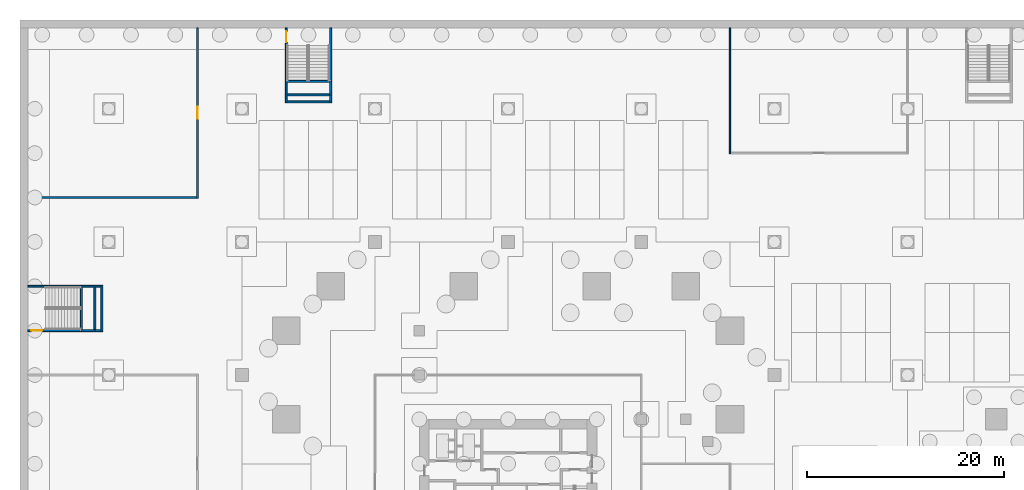
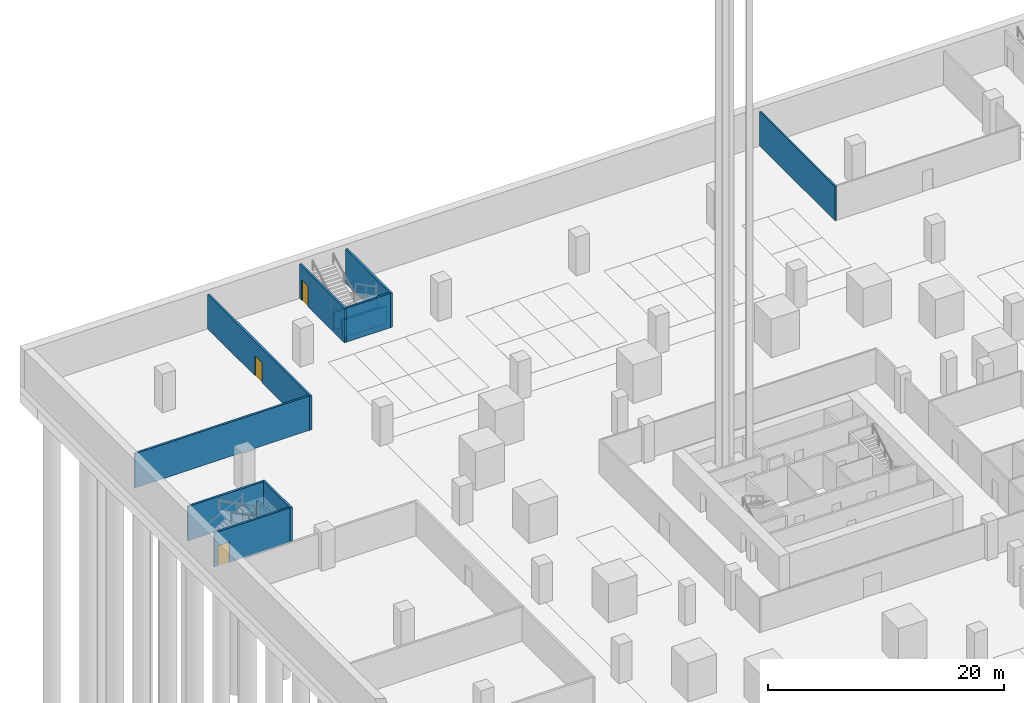
# One storey, part 11 of 40: 13 walls, 3 doors, 3 openings.
"""IFC4 building model written with IfcOpenShell, lengths in metres."""

from ifc_helpers import new_model, si_unit, direction, frame, frame_2d, origin, place, context, subcontext, project, spatial, rectangle, extrude, material, layer, layer_set, type_object, element, fill, save


model = new_model("IFC4")

# Units and contexts
model_context = context("Model", 3, precision=1e-05, world=origin(), true_north=direction((0.0, 1.0)))
body_context = subcontext(model_context, "Body", "Model", "MODEL_VIEW")
ifc_project = project(units=[si_unit("LENGTHUNIT", "METRE"), si_unit("AREAUNIT", "SQUARE_METRE"), si_unit("VOLUMEUNIT", "CUBIC_METRE"), si_unit("PLANEANGLEUNIT", "RADIAN"), si_unit("MASSUNIT", "GRAM", prefix="KILO")], contexts=[model_context])

# Site, building, storey
site_placement = place(None, origin())
site = spatial("IfcSite", under=ifc_project, at=site_placement, CompositionType="ELEMENT")
building_placement = place(site_placement, origin())
building = spatial("IfcBuilding", under=site, at=building_placement, Name="Altepetl Exchange Towers", CompositionType="ELEMENT")
storey_placement = place(building_placement, frame((0.0, 0.0, -8.0)))
storey = spatial("IfcBuildingStorey", under=building, at=storey_placement, Name="B2 Basement parking", CompositionType="ELEMENT", Elevation=-8.0)

# Walls
ifc_material_1 = material(Name="Reinforced concrete C35/45", Category="concrete")
ifc_layer_1 = layer(ifc_material_1, 0.199951171875)
ifc_layer_set_1 = layer_set([ifc_layer_1], Name="Reinforced concrete C35/45")
wall_type_1 = type_object("IfcWallType", Name="Landing support wall 200", PredefinedType="SOLIDWALL", material=ifc_layer_set_1)
for number, where, z_axis, x_axis, name in (
    (1, (6.219970703125, 71.89990234375, 0.0), (0.0, 0.0, 1.0), (0.0, -1.0, 0.0), "wall:P:B2:ES4sup0"),
    (2, (7.60009765625, 71.89990234375, 0.0), (0.0, 0.0, 1.0), (0.0, -1.0, 0.0), "wall:P:B2:ES4sup1"),
    (3, (31.39990234375, 92.780029296875, 0.0), (0.0, 0.0, 1.0), (-1.0, 0.0, 0.0), "wall:P:B2:ES5sup0"),
    (4, (31.39990234375, 91.39990234375, 0.0), (0.0, 0.0, 1.0), (-1.0, 0.0, 0.0), "wall:P:B2:ES5sup1"),
):
    element("IfcWall", number, at=place(storey_placement, frame(where, z_axis=z_axis, x_axis=x_axis)), inside=storey, type_object=wall_type_1, Name=name, PredefinedType="SOLIDWALL", context=body_context, shape_type="SweptSolid", body=[
        extrude(rectangle(XDim=4.2998046875, YDim=0.199951171875, at=frame_2d((2.14990234375, 0.0))), origin(), (0.0, 0.0, 1.0), 1.800048828125),
    ])

# Wall, opening, door
ifc_material_2 = material(Name="Concrete block masonry", Category="masonry")
ifc_layer_2 = layer(ifc_material_2, 0.199951171875)
ifc_layer_set_2 = layer_set([ifc_layer_2], Name="Concrete block masonry")
wall_type_2 = type_object("IfcWallType", Name="Podium fire wall 200", PredefinedType="SOLIDWALL", material=ifc_layer_set_2)
wall_1_placement = place(storey_placement, frame((18.0, 80.89990234375, 0.0), z_axis=(0.0, 0.0, 1.0), x_axis=(0.0, 1.0, 0.0)))
wall_1 = element("IfcWall", 5, at=wall_1_placement, inside=storey, type_object=wall_type_2, Name="wall:P:B2:P009", PredefinedType="SOLIDWALL", context=body_context, shape_type="SweptSolid", body=[
    extrude(rectangle(XDim=17.300048828125, YDim=0.199951171875, at=frame_2d((8.64990234375, 0.0))), origin(), (0.0, 0.0, 1.0), 3.550048828125),
])
opening_1_placement = place(wall_1_placement, frame((8.10009765625, 0.0, 0.0)))
opening_1 = element("IfcOpeningElement", 6, at=opening_1_placement, cuts=wall_1, Name="Opening B2.P004", PredefinedType="OPENING", context=body_context, shape_type="SweptSolid", body=[
    extrude(rectangle(XDim=1.199951171875, YDim=2.10009765625, at=frame_2d((0.60009765625, 1.050048828125))), frame((0.0, 0.10986328125, 0.0), z_axis=(0.0, -1.0, 0.0), x_axis=(1.0, 0.0, 0.0)), (0.0, 0.0, 1.0), 0.219970703125),
])
ifc_material_3 = material(Name="Steel fire door", Category="steel")
door_type_1 = type_object("IfcDoorType", Name="Podium fire door 1200 x 2100 double leaf", OperationType="DOUBLE_DOOR_SINGLE_SWING", PredefinedType="DOOR", material=ifc_material_3)
door_1_placement = place(opening_1_placement, origin())
door_1 = element("IfcDoor", 7, at=door_1_placement, inside=storey, type_object=door_type_1, Name="door:P:B2:004", OperationType="DOUBLE_DOOR_SINGLE_SWING", OverallHeight=2.10009765625, OverallWidth=1.199951171875, PredefinedType="DOOR", context=body_context, shape_type="SweptSolid", body=[
    extrude(rectangle(XDim=1.199951171875, YDim=2.10009765625, at=frame_2d((0.60009765625, 1.050048828125))), frame((0.0, 0.02490234375, 0.0), z_axis=(0.0, -1.0, 0.0), x_axis=(1.0, 0.0, 0.0)), (0.0, 0.0, 1.0), 0.050048828125),
])
fill(opening_1, door_1)

# Walls
wall_2_placement = place(storey_placement, frame((0.800048828125, 81.0, 0.0)))
element("IfcWall", 8, at=wall_2_placement, inside=storey, type_object=wall_type_2, Name="wall:P:B2:P010", PredefinedType="SOLIDWALL", context=body_context, shape_type="SweptSolid", body=[
    extrude(rectangle(XDim=17.099853515625, YDim=0.199951171875, at=frame_2d((8.5498046875, 0.0))), origin(), (0.0, 0.0, 1.0), 3.550048828125),
])
ifc_material_4 = material(Name="Gypsum board on steel studs", Category="steel")
ifc_layer_3 = layer(ifc_material_4, 0.14990234375)
ifc_layer_set_3 = layer_set([ifc_layer_3], Name="Gypsum board on steel studs")
wall_type_3 = type_object("IfcWallType", Name="Podium partition 150", PredefinedType="PARTITIONING", material=ifc_layer_set_3)
wall_3_placement = place(storey_placement, frame((72.0, 85.425048828125, 0.0), z_axis=(0.0, 0.0, 1.0), x_axis=(0.0, 1.0, 0.0)))
element("IfcWall", 9, at=wall_3_placement, inside=storey, type_object=wall_type_3, Name="wall:P:B2:P015", PredefinedType="PARTITIONING", context=body_context, shape_type="SweptSolid", body=[
    extrude(rectangle(XDim=12.77490234375, YDim=0.14990234375, at=frame_2d((6.387451171875, 0.0))), origin(), (0.0, 0.0, 1.0), 3.550048828125),
])
ifc_layer_4 = layer(ifc_material_1, 0.199951171875)
ifc_layer_set_4 = layer_set([ifc_layer_4], Name="Reinforced concrete C35/45")
wall_type_4 = type_object("IfcWallType", Name="Stair enclosure wall 200", PredefinedType="SOLIDWALL", material=ifc_layer_set_4)
wall_4_placement = place(storey_placement, frame((8.300048828125, 67.39990234375, 0.0), z_axis=(0.0, 0.0, 1.0), x_axis=(0.0, 1.0, 0.0)))
element("IfcWall", 10, at=wall_4_placement, inside=storey, type_object=wall_type_4, Name="wall:P:B2:P065", PredefinedType="SOLIDWALL", context=body_context, shape_type="SweptSolid", body=[
    extrude(rectangle(XDim=4.7001953125, YDim=0.199951171875, at=frame_2d((2.35009765625, 0.0))), origin(), (0.0, 0.0, 1.0), 3.550048828125),
])

# Wall, opening, door
wall_5_placement = place(storey_placement, frame((0.800048828125, 67.5, 0.0)))
wall_5 = element("IfcWall", 11, at=wall_5_placement, inside=storey, type_object=wall_type_4, Name="wall:P:B2:P066", PredefinedType="SOLIDWALL", context=body_context, shape_type="SweptSolid", body=[
    extrude(rectangle(XDim=7.39990234375, YDim=0.199951171875, at=frame_2d((3.699951171875, 0.0))), origin(), (0.0, 0.0, 1.0), 3.550048828125),
])
opening_2_placement = place(wall_5_placement, frame((0.35009765625, 0.0, 0.0)))
opening_2 = element("IfcOpeningElement", 12, at=opening_2_placement, cuts=wall_5, Name="Opening B2.P015", PredefinedType="OPENING", context=body_context, shape_type="SweptSolid", body=[
    extrude(rectangle(XDim=1.10009765625, YDim=2.10009765625, at=frame_2d((0.550048828125, 1.050048828125))), frame((0.0, 0.10986328125, 0.0), z_axis=(0.0, -1.0, 0.0), x_axis=(1.0, 0.0, 0.0)), (0.0, 0.0, 1.0), 0.219970703125),
])
door_type_2 = type_object("IfcDoorType", Name="Podium fire door 1100 x 2100 single leaf", OperationType="SINGLE_SWING_LEFT", PredefinedType="DOOR", material=ifc_material_3)
door_2_placement = place(opening_2_placement, origin())
door_2 = element("IfcDoor", 13, at=door_2_placement, inside=storey, type_object=door_type_2, Name="door:P:B2:015", OperationType="SINGLE_SWING_RIGHT", OverallHeight=2.10009765625, OverallWidth=1.10009765625, PredefinedType="DOOR", context=body_context, shape_type="SweptSolid", body=[
    extrude(rectangle(XDim=1.10009765625, YDim=2.10009765625, at=frame_2d((0.550048828125, 1.050048828125))), frame((0.0, 0.02490234375, 0.0), z_axis=(0.0, -1.0, 0.0), x_axis=(1.0, 0.0, 0.0)), (0.0, 0.0, 1.0), 0.050048828125),
])
fill(opening_2, door_2)

# Wall
wall_6_placement = place(storey_placement, frame((0.800048828125, 72.0, 0.0)))
element("IfcWall", 14, at=wall_6_placement, inside=storey, type_object=wall_type_4, Name="wall:P:B2:P067", PredefinedType="SOLIDWALL", context=body_context, shape_type="SweptSolid", body=[
    extrude(rectangle(XDim=7.39990234375, YDim=0.199951171875, at=frame_2d((3.699951171875, 0.0))), origin(), (0.0, 0.0, 1.0), 3.550048828125),
])

# Wall, opening, door
wall_7_placement = place(storey_placement, frame((27.0, 90.60009765625, 0.0), z_axis=(0.0, 0.0, 1.0), x_axis=(0.0, 1.0, 0.0)))
wall_7 = element("IfcWall", 15, at=wall_7_placement, inside=storey, type_object=wall_type_4, Name="wall:P:B2:P068", PredefinedType="SOLIDWALL", context=body_context, shape_type="SweptSolid", body=[
    extrude(rectangle(XDim=7.599853515625, YDim=0.199951171875, at=frame_2d((3.7998046875, 0.0))), origin(), (0.0, 0.0, 1.0), 3.550048828125),
])
opening_3_placement = place(wall_7_placement, frame((6.14990234375, 0.0, 0.0)))
opening_3 = element("IfcOpeningElement", 16, at=opening_3_placement, cuts=wall_7, Name="Opening B2.P016", PredefinedType="OPENING", context=body_context, shape_type="SweptSolid", body=[
    extrude(rectangle(XDim=1.10009765625, YDim=2.10009765625, at=frame_2d((0.550048828125, 1.050048828125))), frame((0.0, 0.10986328125, 0.0), z_axis=(0.0, -1.0, 0.0), x_axis=(1.0, 0.0, 0.0)), (0.0, 0.0, 1.0), 0.219970703125),
])
door_3_placement = place(opening_3_placement, frame((1.10009765625, 0.0, 0.0), x_axis=(-1.0, 0.0, 0.0)))
door_3 = element("IfcDoor", 17, at=door_3_placement, inside=storey, type_object=door_type_2, Name="door:P:B2:016", OperationType="SINGLE_SWING_LEFT", OverallHeight=2.10009765625, OverallWidth=1.10009765625, PredefinedType="DOOR", context=body_context, shape_type="SweptSolid", body=[
    extrude(rectangle(XDim=1.10009765625, YDim=2.10009765625, at=frame_2d((0.550048828125, 1.050048828125))), frame((0.0, 0.02490234375, 0.0), z_axis=(0.0, -1.0, 0.0), x_axis=(1.0, 0.0, 0.0)), (0.0, 0.0, 1.0), 0.050048828125),
])
fill(opening_3, door_3)

# Walls
wall_8_placement = place(storey_placement, frame((31.5, 90.60009765625, 0.0), z_axis=(0.0, 0.0, 1.0), x_axis=(0.0, 1.0, 0.0)))
element("IfcWall", 18, at=wall_8_placement, inside=storey, type_object=wall_type_4, Name="wall:P:B2:P069", PredefinedType="SOLIDWALL", context=body_context, shape_type="SweptSolid", body=[
    extrude(rectangle(XDim=7.599853515625, YDim=0.199951171875, at=frame_2d((3.7998046875, 0.0))), origin(), (0.0, 0.0, 1.0), 3.550048828125),
])
wall_9_placement = place(storey_placement, frame((27.10009765625, 90.699951171875, 0.0)))
element("IfcWall", 19, at=wall_9_placement, inside=storey, type_object=wall_type_4, Name="wall:P:B2:P070", PredefinedType="SOLIDWALL", context=body_context, shape_type="SweptSolid", body=[
    extrude(rectangle(XDim=4.2998046875, YDim=0.199951171875, at=frame_2d((2.14990234375, 0.0))), origin(), (0.0, 0.0, 1.0), 3.550048828125),
])

save(model, "model.ifc")
